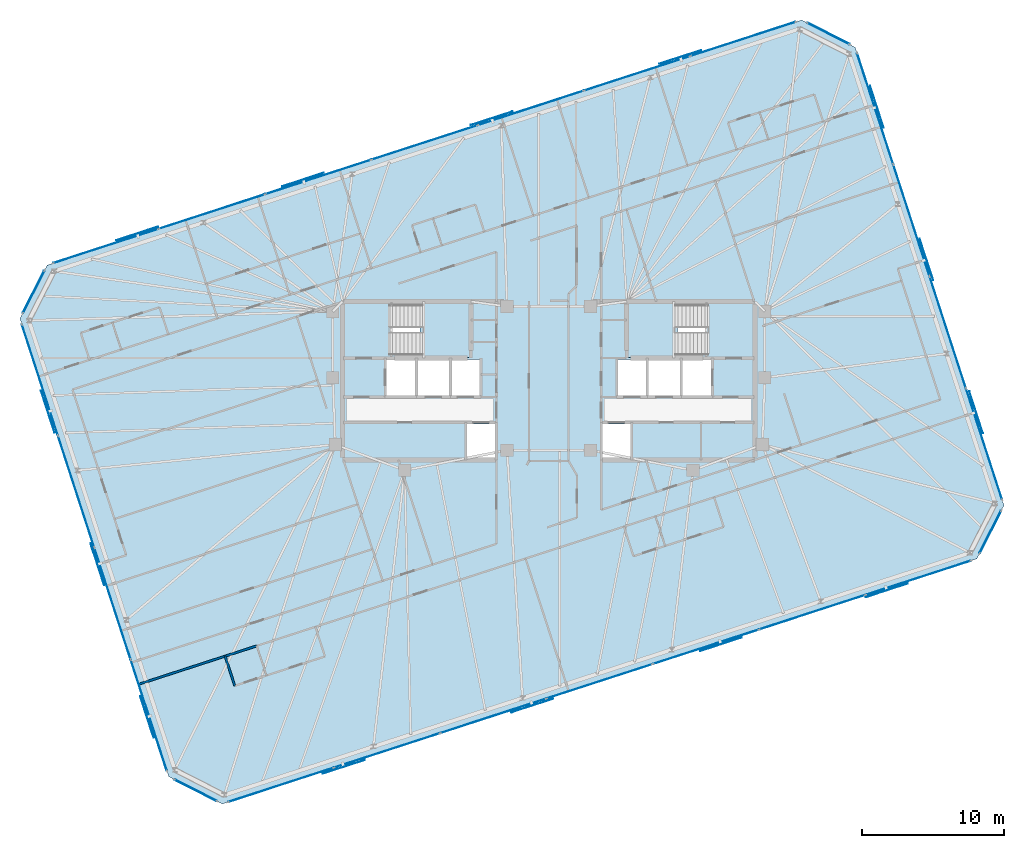
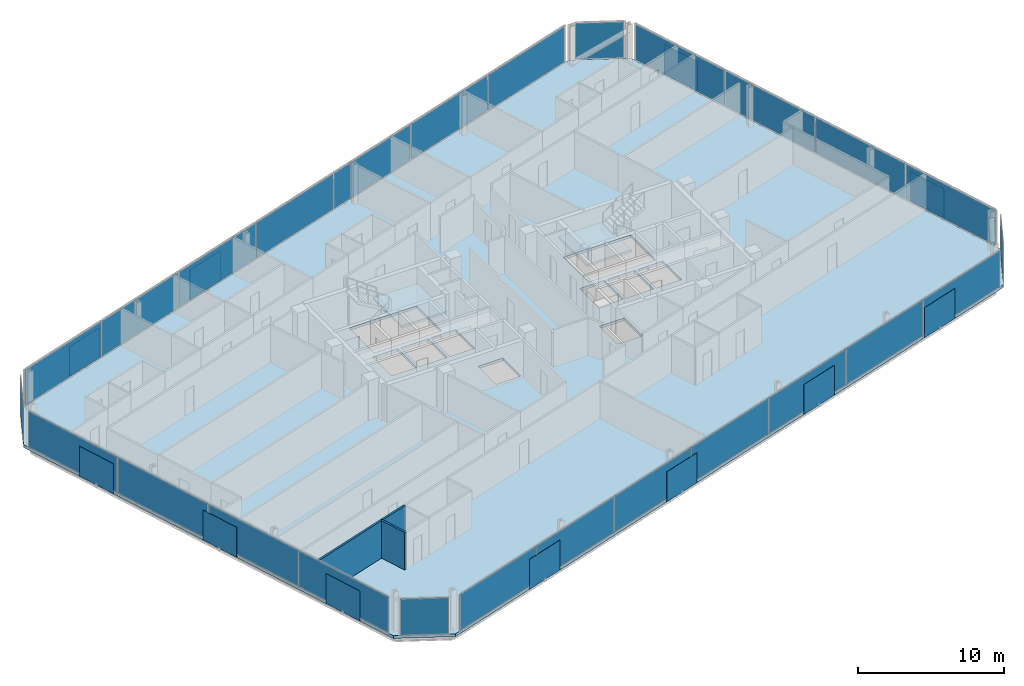
# One storey, part 12 of 19: 40 plates, 3 slabs, 3 walls, 10 elements without a shape of their own.
"""IFC4 building model written with IfcOpenShell, lengths in metres."""

from ifc_helpers import new_model, si_unit, direction, frame, frame_2d, origin, origin_2d, place, context, subcontext, project, spatial, polyline, rectangle, outline, extrude, material, layer, layer_set, type_object, element, aggregate, save


model = new_model("IFC4")

# Units and contexts
model_context = context("Model", 3, precision=1e-05, world=origin(), true_north=direction((0.0, 1.0)))
body_context = subcontext(model_context, "Body", "Model", "MODEL_VIEW")
ifc_project = project(units=[si_unit("LENGTHUNIT", "METRE"), si_unit("AREAUNIT", "SQUARE_METRE"), si_unit("VOLUMEUNIT", "CUBIC_METRE"), si_unit("PLANEANGLEUNIT", "RADIAN"), si_unit("MASSUNIT", "GRAM", prefix="KILO")], contexts=[model_context])

# Site, building, storey
site_placement = place(None, origin())
site = spatial("IfcSite", under=ifc_project, at=site_placement, CompositionType="ELEMENT")
building_placement = place(site_placement, origin())
building = spatial("IfcBuilding", under=site, at=building_placement, Name="Menara Jurai Vektor", CompositionType="ELEMENT")
storey_placement = place(building_placement, frame((0.0, 0.0, 210.89990234375)))
storey = spatial("IfcBuildingStorey", under=building, at=storey_placement, Name="L55", CompositionType="ELEMENT", Elevation=210.89990234375)

# Curtain wall, plates
ifc_material_1 = material(Name="Anodised Pale Aluminium & Low-E Double Glazing", Category="aluminium")
curtain_wall_type = type_object("IfcCurtainWallType", Name="CW-BLK4", PredefinedType="NOTDEFINED", material=ifc_material_1)
curtain_wall_1_placement = place(storey_placement, origin())
curtain_wall_1 = element("IfcCurtainWall", 1, at=curtain_wall_1_placement, inside=storey, type_object=curtain_wall_type, Name="Unitised Curtain Wall L55 F01", PredefinedType="NOTDEFINED")
ifc_material_2 = material(Name="Low-E Solar-Control Double Glazed Unit", Category="glass")
ifc_layer_1 = layer(ifc_material_2, 0.030029296875)
ifc_layer_set_1 = layer_set([ifc_layer_1], Name="Low-E Solar-Control Double Glazed Unit")
plate_type_1 = type_object("IfcPlateType", Name="CW-BLK4-PNL", PredefinedType="CURTAIN_PANEL", material=ifc_layer_set_1)
plate_1_placement = place(storey_placement, frame((-18.916259765625, -28.53076171875, 0.080078125), z_axis=(0.0, 0.0, 1.0), x_axis=(0.951056402641, 0.309017344167, 0.0)))
plate_1 = element("IfcPlate", 2, at=plate_1_placement, type_object=plate_type_1, Name="CW-04 panel 1.1", PredefinedType="CURTAIN_PANEL", context=body_context, shape_type="SweptSolid", body=[
    extrude(rectangle(XDim=7.771484375, YDim=0.030029296875, at=origin_2d()), origin(), (0.0, 0.0, 1.0), 2.965087890625),
])
plate_2_placement = place(storey_placement, frame((-11.429931640625, -26.098388671875, 0.080078125), z_axis=(0.0, 0.0, 1.0), x_axis=(0.951056402641, 0.309017344167, 0.0)))
plate_2 = element("IfcPlate", 3, at=plate_2_placement, type_object=plate_type_1, Name="CW-04 panel 2.1", PredefinedType="CURTAIN_PANEL", context=body_context, shape_type="SweptSolid", body=[
    extrude(rectangle(XDim=7.8115234375, YDim=0.030029296875, at=origin_2d()), origin(), (0.0, 0.0, 1.0), 2.965087890625),
])
plate_3_placement = place(storey_placement, frame((-3.9248046875, -23.65966796875, 0.080078125), z_axis=(0.0, 0.0, 1.0), x_axis=(0.951056402641, 0.309017344167, 0.0)))
plate_3 = element("IfcPlate", 4, at=plate_3_placement, type_object=plate_type_1, Name="CW-04 panel 3.1", PredefinedType="CURTAIN_PANEL", context=body_context, shape_type="SweptSolid", body=[
    extrude(rectangle(XDim=7.8115234375, YDim=0.030029296875, at=origin_2d()), origin(), (0.0, 0.0, 1.0), 2.965087890625),
])
plate_4_placement = place(storey_placement, frame((3.580322265625, -21.22119140625, 0.080078125), z_axis=(0.0, 0.0, 1.0), x_axis=(0.951056402641, 0.309017344167, 0.0)))
plate_4 = element("IfcPlate", 5, at=plate_4_placement, type_object=plate_type_1, Name="CW-04 panel 4.1", PredefinedType="CURTAIN_PANEL", context=body_context, shape_type="SweptSolid", body=[
    extrude(rectangle(XDim=7.8115234375, YDim=0.030029296875, at=origin_2d()), origin(), (0.0, 0.0, 1.0), 2.965087890625),
])
plate_5_placement = place(storey_placement, frame((11.08544921875, -18.782470703125, 0.080078125), z_axis=(0.0, 0.0, 1.0), x_axis=(0.951056402641, 0.309017344167, 0.0)))
plate_5 = element("IfcPlate", 6, at=plate_5_placement, type_object=plate_type_1, Name="CW-04 panel 5.1", PredefinedType="CURTAIN_PANEL", context=body_context, shape_type="SweptSolid", body=[
    extrude(rectangle(XDim=7.8115234375, YDim=0.030029296875, at=origin_2d()), origin(), (0.0, 0.0, 1.0), 2.965087890625),
])
plate_6_placement = place(storey_placement, frame((18.5908203125, -16.343994140625, 0.080078125), z_axis=(0.0, 0.0, 1.0), x_axis=(0.951056402641, 0.309017344167, 0.0)))
plate_6 = element("IfcPlate", 7, at=plate_6_placement, type_object=plate_type_1, Name="CW-04 panel 6.1", PredefinedType="CURTAIN_PANEL", context=body_context, shape_type="SweptSolid", body=[
    extrude(rectangle(XDim=7.8115234375, YDim=0.030029296875, at=origin_2d()), origin(), (0.0, 0.0, 1.0), 2.965087890625),
])
plate_7_placement = place(storey_placement, frame((26.076904296875, -13.91162109375, 0.080078125), z_axis=(0.0, 0.0, 1.0), x_axis=(0.951056402641, 0.309017344167, 0.0)))
plate_7 = element("IfcPlate", 8, at=plate_7_placement, type_object=plate_type_1, Name="CW-04 panel 7.1", PredefinedType="CURTAIN_PANEL", context=body_context, shape_type="SweptSolid", body=[
    extrude(rectangle(XDim=7.771484375, YDim=0.030029296875, at=origin_2d()), origin(), (0.0, 0.0, 1.0), 2.965087890625),
])
aggregate(curtain_wall_1, [plate_1, plate_2, plate_3, plate_4, plate_5, plate_6, plate_7])

curtain_wall_2_placement = place(storey_placement, origin())
curtain_wall_2 = element("IfcCurtainWall", 9, at=curtain_wall_2_placement, inside=storey, type_object=curtain_wall_type, Name="Unitised Curtain Wall L55 F03", PredefinedType="NOTDEFINED")
plate_8_placement = place(storey_placement, frame((30.728515625, -4.456298828125, 0.080078125), z_axis=(0.0, 0.0, 1.0), x_axis=(-0.309016481464, 0.95105668295, 0.0)))
plate_8 = element("IfcPlate", 10, at=plate_8_placement, type_object=plate_type_1, Name="CW-04 panel 1.1", PredefinedType="CURTAIN_PANEL", context=body_context, shape_type="SweptSolid", body=[
    extrude(rectangle(XDim=8.18994140625, YDim=0.030029296875, at=origin_2d()), origin(), (0.0, 0.0, 1.0), 2.965087890625),
])
plate_9_placement = place(storey_placement, frame((28.166748046875, 3.427978515625, 0.080078125), z_axis=(0.0, 0.0, 1.0), x_axis=(-0.309016481464, 0.95105668295, 0.0)))
plate_9 = element("IfcPlate", 11, at=plate_9_placement, type_object=plate_type_1, Name="CW-04 panel 2.1", PredefinedType="CURTAIN_PANEL", context=body_context, shape_type="SweptSolid", body=[
    extrude(rectangle(XDim=8.22998046875, YDim=0.030029296875, at=origin_2d()), origin(), (0.0, 0.0, 1.0), 2.965087890625),
])
plate_10_placement = place(storey_placement, frame((25.598876953125, 11.331298828125, 0.080078125), z_axis=(0.0, 0.0, 1.0), x_axis=(-0.309016481464, 0.95105668295, 0.0)))
plate_10 = element("IfcPlate", 12, at=plate_10_placement, type_object=plate_type_1, Name="CW-04 panel 3.1", PredefinedType="CURTAIN_PANEL", context=body_context, shape_type="SweptSolid", body=[
    extrude(rectangle(XDim=8.22998046875, YDim=0.030029296875, at=origin_2d()), origin(), (0.0, 0.0, 1.0), 2.965087890625),
])
plate_11_placement = place(storey_placement, frame((23.037109375, 19.21533203125, 0.080078125), z_axis=(0.0, 0.0, 1.0), x_axis=(-0.309016481464, 0.95105668295, 0.0)))
plate_11 = element("IfcPlate", 13, at=plate_11_placement, type_object=plate_type_1, Name="CW-04 panel 4.1", PredefinedType="CURTAIN_PANEL", context=body_context, shape_type="SweptSolid", body=[
    extrude(rectangle(XDim=8.18994140625, YDim=0.030029296875, at=origin_2d()), origin(), (0.0, 0.0, 1.0), 2.965087890625),
])
aggregate(curtain_wall_2, [plate_8, plate_9, plate_10, plate_11])

curtain_wall_3_placement = place(storey_placement, origin())
curtain_wall_3 = element("IfcCurtainWall", 14, at=curtain_wall_3_placement, inside=storey, type_object=curtain_wall_type, Name="Unitised Curtain Wall L55 F05", PredefinedType="NOTDEFINED")
plate_12_placement = place(storey_placement, frame((13.716064453125, 24.130615234375, 0.080078125), z_axis=(0.0, 0.0, 1.0), x_axis=(-0.951056402641, -0.309017344167, 0.0)))
plate_12 = element("IfcPlate", 15, at=plate_12_placement, type_object=plate_type_1, Name="CW-04 panel 1.1", PredefinedType="CURTAIN_PANEL", context=body_context, shape_type="SweptSolid", body=[
    extrude(rectangle(XDim=7.771484375, YDim=0.030029296875, at=origin_2d()), origin(), (0.0, 0.0, 1.0), 2.965087890625),
])
plate_13_placement = place(storey_placement, frame((6.22998046875, 21.6982421875, 0.080078125), z_axis=(0.0, 0.0, 1.0), x_axis=(-0.951056402641, -0.309017344167, 0.0)))
plate_13 = element("IfcPlate", 16, at=plate_13_placement, type_object=plate_type_1, Name="CW-04 panel 2.1", PredefinedType="CURTAIN_PANEL", context=body_context, shape_type="SweptSolid", body=[
    extrude(rectangle(XDim=7.8115234375, YDim=0.030029296875, at=origin_2d()), origin(), (0.0, 0.0, 1.0), 2.965087890625),
])
plate_14_placement = place(storey_placement, frame((-1.275146484375, 19.259765625, 0.080078125), z_axis=(0.0, 0.0, 1.0), x_axis=(-0.951056402641, -0.309017344167, 0.0)))
plate_14 = element("IfcPlate", 17, at=plate_14_placement, type_object=plate_type_1, Name="CW-04 panel 3.1", PredefinedType="CURTAIN_PANEL", context=body_context, shape_type="SweptSolid", body=[
    extrude(rectangle(XDim=7.8115234375, YDim=0.030029296875, at=origin_2d()), origin(), (0.0, 0.0, 1.0), 2.965087890625),
])
plate_15_placement = place(storey_placement, frame((-8.7802734375, 16.821044921875, 0.080078125), z_axis=(0.0, 0.0, 1.0), x_axis=(-0.951056402641, -0.309017344167, 0.0)))
plate_15 = element("IfcPlate", 18, at=plate_15_placement, type_object=plate_type_1, Name="CW-04 panel 4.1", PredefinedType="CURTAIN_PANEL", context=body_context, shape_type="SweptSolid", body=[
    extrude(rectangle(XDim=7.8115234375, YDim=0.030029296875, at=origin_2d()), origin(), (0.0, 0.0, 1.0), 2.965087890625),
])
plate_16_placement = place(storey_placement, frame((-16.28564453125, 14.382568359375, 0.080078125), z_axis=(0.0, 0.0, 1.0), x_axis=(-0.951056402641, -0.309017344167, 0.0)))
plate_16 = element("IfcPlate", 19, at=plate_16_placement, type_object=plate_type_1, Name="CW-04 panel 5.1", PredefinedType="CURTAIN_PANEL", context=body_context, shape_type="SweptSolid", body=[
    extrude(rectangle(XDim=7.8115234375, YDim=0.030029296875, at=origin_2d()), origin(), (0.0, 0.0, 1.0), 2.965087890625),
])
plate_17_placement = place(storey_placement, frame((-23.790771484375, 11.944091796875, 0.080078125), z_axis=(0.0, 0.0, 1.0), x_axis=(-0.951056402641, -0.309017344167, 0.0)))
plate_17 = element("IfcPlate", 20, at=plate_17_placement, type_object=plate_type_1, Name="CW-04 panel 6.1", PredefinedType="CURTAIN_PANEL", context=body_context, shape_type="SweptSolid", body=[
    extrude(rectangle(XDim=7.8115234375, YDim=0.030029296875, at=origin_2d()), origin(), (0.0, 0.0, 1.0), 2.965087890625),
])
plate_18_placement = place(storey_placement, frame((-31.27685546875, 9.511474609375, 0.080078125), z_axis=(0.0, 0.0, 1.0), x_axis=(-0.951056402641, -0.309017344167, 0.0)))
plate_18 = element("IfcPlate", 21, at=plate_18_placement, type_object=plate_type_1, Name="CW-04 panel 7.1", PredefinedType="CURTAIN_PANEL", context=body_context, shape_type="SweptSolid", body=[
    extrude(rectangle(XDim=7.771484375, YDim=0.030029296875, at=origin_2d()), origin(), (0.0, 0.0, 1.0), 2.965087890625),
])
aggregate(curtain_wall_3, [plate_12, plate_13, plate_14, plate_15, plate_16, plate_17, plate_18])

curtain_wall_4_placement = place(storey_placement, origin())
curtain_wall_4 = element("IfcCurtainWall", 22, at=curtain_wall_4_placement, inside=storey, type_object=curtain_wall_type, Name="Unitised Curtain Wall L55 F07", PredefinedType="NOTDEFINED")
plate_19_placement = place(storey_placement, frame((-35.928466796875, 0.056396484375, 0.080078125), z_axis=(0.0, 0.0, 1.0), x_axis=(0.309016481464, -0.95105668295, 0.0)))
plate_19 = element("IfcPlate", 23, at=plate_19_placement, type_object=plate_type_1, Name="CW-04 panel 1.1", PredefinedType="CURTAIN_PANEL", context=body_context, shape_type="SweptSolid", body=[
    extrude(rectangle(XDim=8.18994140625, YDim=0.030029296875, at=origin_2d()), origin(), (0.0, 0.0, 1.0), 2.965087890625),
])
plate_20_placement = place(storey_placement, frame((-33.36669921875, -7.827880859375, 0.080078125), z_axis=(0.0, 0.0, 1.0), x_axis=(0.309016481464, -0.95105668295, 0.0)))
plate_20 = element("IfcPlate", 24, at=plate_20_placement, type_object=plate_type_1, Name="CW-04 panel 2.1", PredefinedType="CURTAIN_PANEL", context=body_context, shape_type="SweptSolid", body=[
    extrude(rectangle(XDim=8.22998046875, YDim=0.030029296875, at=origin_2d()), origin(), (0.0, 0.0, 1.0), 2.965087890625),
])
plate_21_placement = place(storey_placement, frame((-30.798828125, -15.731201171875, 0.080078125), z_axis=(0.0, 0.0, 1.0), x_axis=(0.309016481464, -0.95105668295, 0.0)))
plate_21 = element("IfcPlate", 25, at=plate_21_placement, type_object=plate_type_1, Name="CW-04 panel 3.1", PredefinedType="CURTAIN_PANEL", context=body_context, shape_type="SweptSolid", body=[
    extrude(rectangle(XDim=8.22998046875, YDim=0.030029296875, at=origin_2d()), origin(), (0.0, 0.0, 1.0), 2.965087890625),
])
plate_22_placement = place(storey_placement, frame((-28.237060546875, -23.615478515625, 0.080078125), z_axis=(0.0, 0.0, 1.0), x_axis=(0.309016481464, -0.95105668295, 0.0)))
plate_22 = element("IfcPlate", 26, at=plate_22_placement, type_object=plate_type_1, Name="CW-04 panel 4.1", PredefinedType="CURTAIN_PANEL", context=body_context, shape_type="SweptSolid", body=[
    extrude(rectangle(XDim=8.18994140625, YDim=0.030029296875, at=origin_2d()), origin(), (0.0, 0.0, 1.0), 2.965087890625),
])
aggregate(curtain_wall_4, [plate_19, plate_20, plate_21, plate_22])

# Curtain wall, plate
curtain_wall_5_placement = place(storey_placement, origin())
curtain_wall_5 = element("IfcCurtainWall", 27, at=curtain_wall_5_placement, inside=storey, type_object=curtain_wall_type, Name="Unitised Curtain Wall L55 F02", PredefinedType="NOTDEFINED")
ifc_material_3 = material(Name="Insulated Pale Aluminium Spandrel Panel", Category="aluminium")
ifc_layer_2 = layer(ifc_material_3, 0.06005859375)
ifc_layer_set_2 = layer_set([ifc_layer_2], Name="Insulated Pale Aluminium Spandrel Panel")
plate_type_2 = type_object("IfcPlateType", Name="CW-PNL-SP", PredefinedType="CURTAIN_PANEL", material=ifc_layer_set_2)
plate_23_placement = place(storey_placement, frame((31.1728515625, -10.678466796875, 0.080078125), z_axis=(0.0, 0.0, 1.0), x_axis=(0.453988579828, 0.89100750243, 0.0)))
plate_23 = element("IfcPlate", 28, at=plate_23_placement, type_object=plate_type_2, Name="CW-04 panel 1.1", PredefinedType="CURTAIN_PANEL", context=body_context, shape_type="SweptSolid", body=[
    extrude(rectangle(XDim=3.32275390625, YDim=0.06005859375, at=origin_2d()), origin(), (0.0, 0.0, 1.0), 2.965087890625),
])
aggregate(curtain_wall_5, [plate_23])

curtain_wall_6_placement = place(storey_placement, origin())
curtain_wall_6 = element("IfcCurtainWall", 29, at=curtain_wall_6_placement, inside=storey, type_object=curtain_wall_type, Name="Unitised Curtain Wall L55 F04", PredefinedType="NOTDEFINED")
plate_24_placement = place(storey_placement, frame((19.7392578125, 24.510498046875, 0.080078125), z_axis=(0.0, 0.0, 1.0), x_axis=(-0.89100750243, 0.453988579828, 0.0)))
plate_24 = element("IfcPlate", 30, at=plate_24_placement, type_object=plate_type_2, Name="CW-04 panel 1.1", PredefinedType="CURTAIN_PANEL", context=body_context, shape_type="SweptSolid", body=[
    extrude(rectangle(XDim=3.32275390625, YDim=0.06005859375, at=origin_2d()), origin(), (0.0, 0.0, 1.0), 2.965087890625),
])
aggregate(curtain_wall_6, [plate_24])

curtain_wall_7_placement = place(storey_placement, origin())
curtain_wall_7 = element("IfcCurtainWall", 31, at=curtain_wall_7_placement, inside=storey, type_object=curtain_wall_type, Name="Unitised Curtain Wall L55 F06", PredefinedType="NOTDEFINED")
plate_25_placement = place(storey_placement, frame((-36.373046875, 6.278564453125, 0.080078125), z_axis=(0.0, 0.0, 1.0), x_axis=(-0.453988579828, -0.89100750243, 0.0)))
plate_25 = element("IfcPlate", 32, at=plate_25_placement, type_object=plate_type_2, Name="CW-04 panel 1.1", PredefinedType="CURTAIN_PANEL", context=body_context, shape_type="SweptSolid", body=[
    extrude(rectangle(XDim=3.32275390625, YDim=0.06005859375, at=origin_2d()), origin(), (0.0, 0.0, 1.0), 2.965087890625),
])
aggregate(curtain_wall_7, [plate_25])

curtain_wall_8_placement = place(storey_placement, origin())
curtain_wall_8 = element("IfcCurtainWall", 33, at=curtain_wall_8_placement, inside=storey, type_object=curtain_wall_type, Name="Unitised Curtain Wall L55 F08", PredefinedType="NOTDEFINED")
plate_26_placement = place(storey_placement, frame((-24.939453125, -28.91064453125, 0.080078125), z_axis=(0.0, 0.0, 1.0), x_axis=(0.89100750243, -0.453988579828, 0.0)))
plate_26 = element("IfcPlate", 34, at=plate_26_placement, type_object=plate_type_2, Name="CW-04 panel 1.1", PredefinedType="CURTAIN_PANEL", context=body_context, shape_type="SweptSolid", body=[
    extrude(rectangle(XDim=3.32275390625, YDim=0.06005859375, at=origin_2d()), origin(), (0.0, 0.0, 1.0), 2.965087890625),
])
aggregate(curtain_wall_8, [plate_26])

# Plates
ifc_material_4 = material(Name="Anodised Pale Aluminium Perforated Screen", Category="aluminium")
ifc_layer_3 = layer(ifc_material_4, 0.02197265625)
ifc_layer_set_3 = layer_set([ifc_layer_3], Name="Anodised Pale Aluminium Perforated Screen")
plate_type_3 = type_object("IfcPlateType", Name="ENV-PLT-SCREEN-HI", PredefinedType="USERDEFINED", material=ifc_layer_set_3)
for number, where, z_axis, x_axis, name in (
    (35, (-14.478271484375, -27.257080078125, -0.0498046875), (0.0, 0.0, 1.0), (0.951056516295, 0.309016994375, 0.0), "Perforated Pale-Metal Solar Screen L55-S01"),
    (36, (-1.16357421875, -22.930908203125, -0.0498046875), (0.0, 0.0, 1.0), (0.951056516295, 0.309016994375, 0.0), "Perforated Pale-Metal Solar Screen L55-S02"),
    (37, (12.151123046875, -18.6044921875, -0.0498046875), (0.0, 0.0, 1.0), (0.951056516295, 0.309016994375, 0.0), "Perforated Pale-Metal Solar Screen L55-S03"),
    (38, (23.868408203125, -14.797607421875, -0.0498046875), (0.0, 0.0, 1.0), (0.951056516295, 0.309016994375, 0.0), "Perforated Pale-Metal Solar Screen L55-S04"),
    (39, (30.16943359375, -2.218017578125, -0.0498046875), (0.0, 0.0, 1.0), (-0.309016994375, 0.951056516295, 0.0), "Perforated Pale-Metal Solar Screen L55-S05"),
    (40, (26.667236328125, 8.560791015625, -0.0498046875), (0.0, 0.0, 1.0), (-0.309016994375, 0.951056516295, 0.0), "Perforated Pale-Metal Solar Screen L55-S06"),
    (41, (23.1650390625, 19.33935546875, -0.0498046875), (0.0, 0.0, 1.0), (-0.309016994375, 0.951056516295, 0.0), "Perforated Pale-Metal Solar Screen L55-S07"),
    (42, (9.2783203125, 22.85693359375, -0.0498046875), (0.0, 0.0, 1.0), (-0.951056516295, -0.309016994375, 0.0), "Perforated Pale-Metal Solar Screen L55-S08"),
    (43, (-4.03662109375, 18.53076171875, -0.0498046875), (0.0, 0.0, 1.0), (-0.951056516295, -0.309016994375, 0.0), "Perforated Pale-Metal Solar Screen L55-S09"),
    (44, (-17.351318359375, 14.20458984375, -0.0498046875), (0.0, 0.0, 1.0), (-0.951056516295, -0.309016994375, 0.0), "Perforated Pale-Metal Solar Screen L55-S10"),
    (45, (-29.068359375, 10.3974609375, -0.0498046875), (0.0, 0.0, 1.0), (-0.951056516295, -0.309016994375, 0.0), "Perforated Pale-Metal Solar Screen L55-S11"),
    (46, (-35.369384765625, -2.18212890625, -0.0498046875), (0.0, 0.0, 1.0), (0.309016994375, -0.951056516295, 0.0), "Perforated Pale-Metal Solar Screen L55-S12"),
    (47, (-31.8671875, -12.960693359375, -0.0498046875), (0.0, 0.0, 1.0), (0.309016994375, -0.951056516295, 0.0), "Perforated Pale-Metal Solar Screen L55-S13"),
    (48, (-28.364990234375, -23.739501953125, -0.0498046875), (0.0, 0.0, 1.0), (0.309016994375, -0.951056516295, 0.0), "Perforated Pale-Metal Solar Screen L55-S14"),
):
    element("IfcPlate", number, at=place(storey_placement, frame(where, z_axis=z_axis, x_axis=x_axis)), inside=storey, type_object=plate_type_3, Name=name, ObjectType="SCREEN", PredefinedType="USERDEFINED", context=body_context, shape_type="SweptSolid", body=[
        extrude(rectangle(XDim=3.10009765625, YDim=0.02197265625, at=origin_2d()), origin(), (0.0, 0.0, 1.0), 2.5),
    ])

# Stair, slab
ifc_material_5 = material(Name="Concrete C40/50", Category="concrete")
stair_type = type_object("IfcStairType", Name="STAIR-DOGLEG-1500", PredefinedType="HALF_TURN_STAIR", material=ifc_material_5)
stair_1_placement = place(storey_placement, origin())
stair_1 = element("IfcStair", 49, at=stair_1_placement, inside=storey, type_object=stair_type, Name="Protected Exit Stair ST1 L55", PredefinedType="HALF_TURN_STAIR")
ifc_layer_4 = layer(ifc_material_5, 0.199951171875)
ifc_layer_set_4 = layer_set([ifc_layer_4], Name="Concrete C40/50")
slab_type_1 = type_object("IfcSlabType", Name="STAIR-LANDING-200", PredefinedType="LANDING", material=ifc_layer_set_4)
slab_1_placement = place(storey_placement, frame((0.0, 0.0, 1.47509765625)))
slab_1 = element("IfcSlab", 50, at=slab_1_placement, type_object=slab_type_1, Name="ST1 landing 1", PredefinedType="LANDING", context=body_context, shape_type="SweptSolid", body=[
    extrude(outline(polyline([(-9.080078125, 1.64990234375), (-5.550048828125, 1.64990234375), (-5.550048828125, 5.550048828125), (-9.080078125, 5.550048828125), (-9.080078125, 1.64990234375)])), origin(), (0.0, 0.0, 1.0), 0.199951171875),
])
aggregate(stair_1, [slab_1])

stair_2_placement = place(storey_placement, origin())
stair_2 = element("IfcStair", 51, at=stair_2_placement, inside=storey, type_object=stair_type, Name="Protected Exit Stair ST2 L55", PredefinedType="HALF_TURN_STAIR")
slab_2_placement = place(storey_placement, frame((0.0, 0.0, 1.47509765625)))
slab_2 = element("IfcSlab", 52, at=slab_2_placement, type_object=slab_type_1, Name="ST2 landing 1", PredefinedType="LANDING", context=body_context, shape_type="SweptSolid", body=[
    extrude(outline(polyline([(5.550048828125, 1.64990234375), (9.080078125, 1.64990234375), (9.080078125, 5.550048828125), (5.550048828125, 5.550048828125), (5.550048828125, 1.64990234375)])), origin(), (0.0, 0.0, 1.0), 0.199951171875),
])
aggregate(stair_2, [slab_2])

# Slab
ifc_layer_5 = layer(ifc_material_5, 0.22509765625)
ifc_layer_set_5 = layer_set([ifc_layer_5], Name="Concrete C40/50")
slab_type_2 = type_object("IfcSlabType", Name="STR-SLAB-TYP200", PredefinedType="FLOOR", material=ifc_layer_set_5)
slab_3_placement = place(storey_placement, frame((0.0, 0.0, -0.224853515625)))
element("IfcSlab", 53, at=slab_3_placement, inside=storey, type_object=slab_type_2, Name="Composite Floor Slab L55", PredefinedType="FLOOR", context=body_context, shape_type="SweptSolid", body=[
    extrude(outline(polyline([(-23.04931640625, -29.87353515625), (30.2099609375, -12.568603515625), (32.135986328125, -8.788330078125), (21.62939453125, 23.547607421875), (17.84912109375, 25.4736328125), (-35.409912109375, 8.168701171875), (-37.3359375, 4.388427734375), (-26.82958984375, -27.947509765625), (-23.04931640625, -29.87353515625)]), holes=[polyline([(-11.10009765625, 1.89990234375), (-11.10009765625, 5.300048828125), (-5.800048828125, 5.300048828125), (-5.800048828125, 1.89990234375), (-11.10009765625, 1.89990234375)]), polyline([(5.800048828125, 1.89990234375), (5.800048828125, 5.300048828125), (11.10009765625, 5.300048828125), (11.10009765625, 1.89990234375), (5.800048828125, 1.89990234375)]), polyline([(-11.449951171875, -1.050048828125), (-11.449951171875, 1.5), (-9.449951171875, 1.5), (-9.449951171875, -1.050048828125), (-11.449951171875, -1.050048828125)]), polyline([(9.449951171875, -1.050048828125), (9.449951171875, 1.5), (11.449951171875, 1.5), (11.449951171875, -1.050048828125), (9.449951171875, -1.050048828125)]), polyline([(-5.760009765625, -5.5), (-5.760009765625, -3.050048828125), (-3.800048828125, -3.050048828125), (-3.800048828125, -5.5), (-5.760009765625, -5.5)]), polyline([(-6.85009765625, -1.050048828125), (-6.85009765625, 1.5), (-4.889892578125, 1.5), (-4.889892578125, -1.050048828125), (-6.85009765625, -1.050048828125)]), polyline([(3.800048828125, -5.5), (3.800048828125, -3.050048828125), (5.760009765625, -3.050048828125), (5.760009765625, -5.5), (3.800048828125, -5.5)]), polyline([(4.889892578125, -1.050048828125), (4.889892578125, 1.5), (6.85009765625, 1.5), (6.85009765625, -1.050048828125), (4.889892578125, -1.050048828125)]), polyline([(-9.25, -1.050048828125), (-9.25, 1.5), (-7.050048828125, 1.5), (-7.050048828125, -1.050048828125), (-9.25, -1.050048828125)]), polyline([(7.050048828125, -1.050048828125), (7.050048828125, 1.5), (9.25, 1.5), (9.25, -1.050048828125), (7.050048828125, -1.050048828125)])]), origin(), (0.0, 0.0, 1.0), 0.224853515625),
])

# Walls
ifc_material_6 = material(Name="Gypsum Fireboard Partition", Category="gypsum")
ifc_layer_6 = layer(ifc_material_6, 0.14990234375)
ifc_layer_set_6 = layer_set([ifc_layer_6], Name="Gypsum Fireboard Partition")
wall_type = type_object("IfcWallType", Name="INT-WALL-CORR-150", PredefinedType="PARTITIONING", material=ifc_layer_set_6)
wall_1_placement = place(storey_placement, frame((-28.949951171875, -21.42138671875, 0.0), z_axis=(0.0, 0.0, 1.0), x_axis=(0.951048062645, 0.309043010825, 0.0)))
element("IfcWall", 54, at=wall_1_placement, inside=storey, type_object=wall_type, Name="Interior Wall IW-150 L55", PredefinedType="PARTITIONING", context=body_context, shape_type="SweptSolid", body=[
    extrude(rectangle(XDim=6.409912109375, YDim=0.14990234375, at=frame_2d((3.205078125, 0.0))), origin(), (0.0, 0.0, 1.0), 3.125),
])
wall_2_placement = place(storey_placement, frame((-22.853759765625, -19.4404296875, 0.0), z_axis=(0.0, 0.0, 1.0), x_axis=(0.951076048914, 0.308956872689, 0.0)))
element("IfcWall", 55, at=wall_2_placement, inside=storey, type_object=wall_type, Name="Interior Wall IW-150 L55", PredefinedType="PARTITIONING", context=body_context, shape_type="SweptSolid", body=[
    extrude(rectangle(XDim=2.35009765625, YDim=0.14990234375, at=frame_2d((1.175048828125, 0.0))), origin(), (0.0, 0.0, 1.0), 3.125),
])
wall_3_placement = place(storey_placement, frame((-22.173828125, -21.532958984375, 0.0), z_axis=(0.0, 0.0, 1.0), x_axis=(-0.309028364152, 0.951052821956, 0.0)))
element("IfcWall", 56, at=wall_3_placement, inside=storey, type_object=wall_type, Name="Interior Wall IW-150 L55", PredefinedType="PARTITIONING", context=body_context, shape_type="SweptSolid", body=[
    extrude(rectangle(XDim=2.2001953125, YDim=0.14990234375, at=frame_2d((1.10009765625, 0.0))), origin(), (0.0, 0.0, 1.0), 3.125),
])

save(model, "model.ifc")
